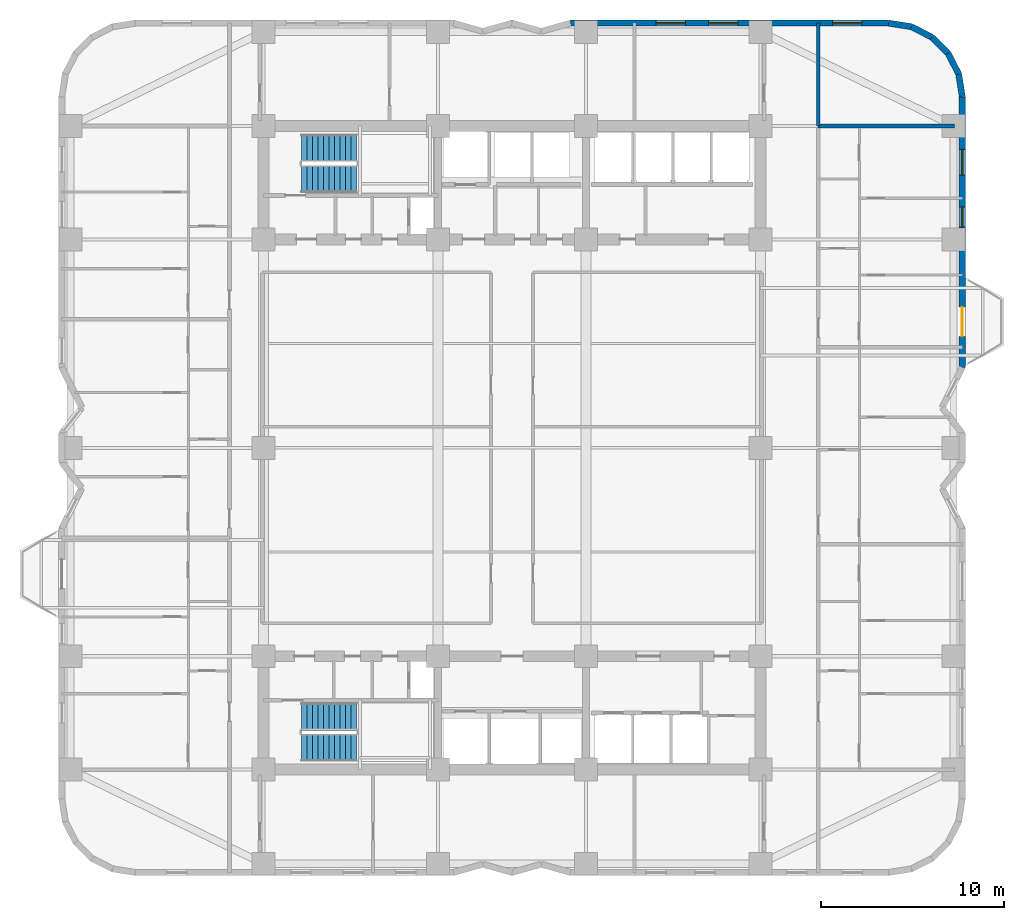
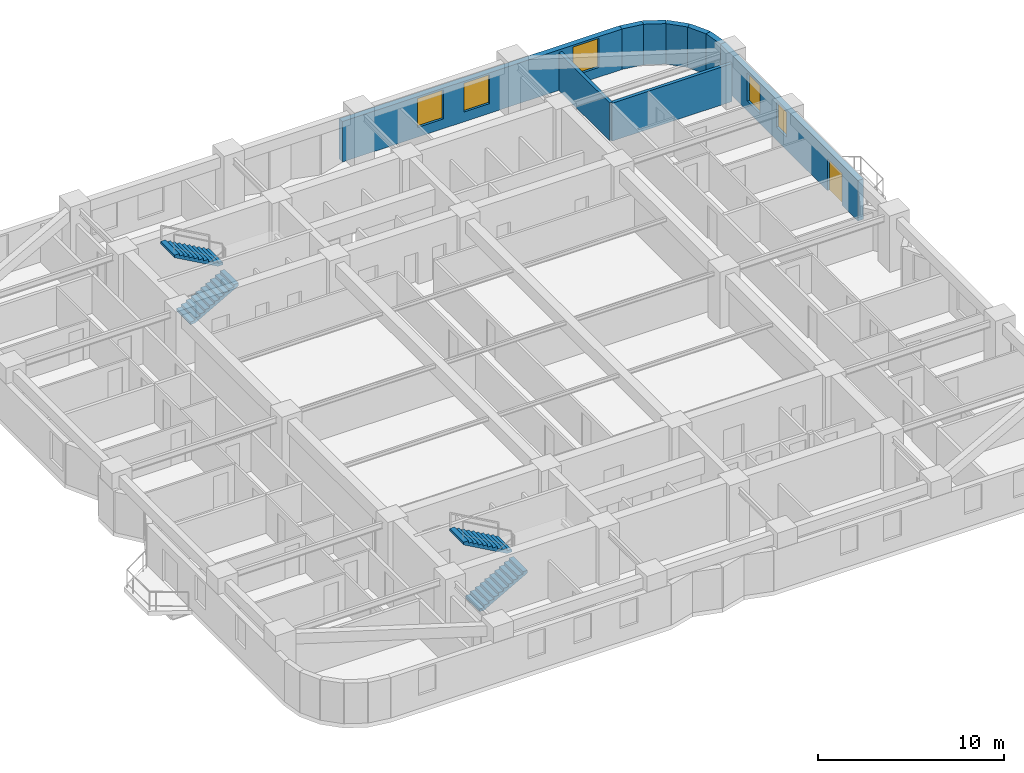
# One storey, part 8 of 10: 9 walls, 5 windows, 4 stair flights, 1 door, 6 openings, 2 elements without a shape of their own.
"""IFC4 building model written with IfcOpenShell, lengths in metres."""

import ifcopenshell
import ifcopenshell.guid

model = None  # the IFC model being written
_history = None  # IfcOwnerHistory: only IFC2X3 demands one
_inside = {}  # id of a spatial element -> (the spatial element, [elements in it])
_under = {}  # id of a project, library or spatial element -> (it, [spatial elements below it])
_declared = {}  # id of a project -> (the project, [libraries it declares])
_typed = {}  # id of a type object -> (the type object, [elements of that type])
_made_of = {}  # id of a material, layer set ... -> (it, [elements and type objects made of it])


def new_model(schema):
    """Start an empty IFC model of exactly this schema.

    Asked for "IFC4X3", IfcOpenShell would pick the latest addendum, in which some entities
    have other attributes; the version numbers below select the first issue.
    IFC2X3 requires an IfcOwnerHistory on every rooted entity: one is made here for all.
    """
    global model, _history
    if schema == "IFC4X3":
        model = ifcopenshell.file(schema_version=(4, 3, 0, 0))
    else:
        model = ifcopenshell.file(schema=schema)
    _inside.clear()
    _under.clear()
    _declared.clear()
    _typed.clear()
    _made_of.clear()
    _history = None
    if model.schema == "IFC2X3":
        org = make("IfcOrganization", Name="unknown")
        user = make(
            "IfcPersonAndOrganization",
            ThePerson=make("IfcPerson", FamilyName="unknown"),
            TheOrganization=org,
        )
        app = make(
            "IfcApplication",
            ApplicationDeveloper=org,
            Version="unknown",
            ApplicationFullName="unknown",
            ApplicationIdentifier="unknown",
        )
        _history = make(
            "IfcOwnerHistory",
            OwningUser=user,
            OwningApplication=app,
            ChangeAction="ADDED",
            CreationDate=0,
        )
    return model


def make(cls, **values):
    """One entity of the class cls with the attributes given. An attribute that is None is left unset."""
    return model.create_entity(
        cls, **{name: value for name, value in values.items() if value is not None}
    )


def rooted(cls, **values):
    """An entity with a GlobalId (a new one), such as an element, a storey or a relation."""
    return make(cls, GlobalId=ifcopenshell.guid.new(), OwnerHistory=_history, **values)


def si_unit(unit_type, name, prefix=None):
    """IfcSIUnit, for example si_unit("LENGTHUNIT", "METRE", prefix="MILLI")."""
    return make("IfcSIUnit", UnitType=unit_type, Prefix=prefix, Name=name)


def assignment(units):
    """IfcUnitAssignment: the units of a project."""
    return None if units is None else make("IfcUnitAssignment", Units=units)


def point(xyz):
    """IfcCartesianPoint."""
    return None if xyz is None else make("IfcCartesianPoint", Coordinates=xyz)


def direction(xyz):
    """IfcDirection."""
    return None if xyz is None else make("IfcDirection", DirectionRatios=xyz)


def frame(location, z_axis=None, x_axis=None):
    """IfcAxis2Placement3D, a coordinate frame: its origin and axes. An axis left out is left unset."""
    return make(
        "IfcAxis2Placement3D",
        Location=point(location),
        Axis=direction(z_axis),
        RefDirection=direction(x_axis),
    )


def frame_2d(location, x_axis=None):
    """IfcAxis2Placement2D, a coordinate frame in the plane: its origin and x axis."""
    return make(
        "IfcAxis2Placement2D", Location=point(location), RefDirection=direction(x_axis)
    )


def origin():
    """The frame at (0, 0, 0) with its axes left unset."""
    return frame((0.0, 0.0, 0.0))


def place(relative_to, where):
    """IfcLocalPlacement: puts the frame where relative to a parent placement (None: the world)."""
    return make(
        "IfcLocalPlacement", PlacementRelTo=relative_to, RelativePlacement=where
    )


def context(
    kind, dimensions, precision=None, world=None, true_north=None, identifier=None
):
    """IfcGeometricRepresentationContext, for example the 3D "Model" context."""
    return make(
        "IfcGeometricRepresentationContext",
        ContextIdentifier=identifier,
        ContextType=kind,
        CoordinateSpaceDimension=dimensions,
        Precision=precision,
        WorldCoordinateSystem=world,
        TrueNorth=true_north,
    )


def subcontext(parent, identifier, kind, view, scale=None):
    """IfcGeometricRepresentationSubContext, for example "Body" below "Model"."""
    return make(
        "IfcGeometricRepresentationSubContext",
        ContextIdentifier=identifier,
        ContextType=kind,
        ParentContext=parent,
        TargetScale=scale,
        TargetView=view,
    )


def project(units=None, contexts=None):
    """IfcProject with its units and contexts."""
    return rooted(
        "IfcProject",
        Name="project",
        RepresentationContexts=contexts,
        UnitsInContext=assignment(units),
    )


def spatial(cls, under=None, at=None, **own):
    """A site, building, storey or space (cls), placed at a placement, below another one or the project."""
    s = rooted(cls, ObjectPlacement=at, **own)
    if under is not None:
        _under.setdefault(under.id(), (under, []))[1].append(s)
    return s


def polyline(points):
    """IfcPolyline through the points."""
    return make("IfcPolyline", Points=[point(p) for p in points])


def profile(cls, at=None, kind="AREA", **sizes):
    """A parametric profile (cls). Its sizes go by their IFC names, for example OverallWidth=200.0."""
    return make(cls, ProfileType=kind, Position=at, **sizes)


def rectangle(**sizes):
    """IfcRectangleProfileDef."""
    return profile("IfcRectangleProfileDef", **sizes)


def outline(outer, holes=None, kind="AREA"):
    """IfcArbitraryClosedProfileDef: a profile drawn as a closed curve; with holes, ...WithVoids."""
    if holes is None:
        return make("IfcArbitraryClosedProfileDef", ProfileType=kind, OuterCurve=outer)
    return make(
        "IfcArbitraryProfileDefWithVoids",
        ProfileType=kind,
        OuterCurve=outer,
        InnerCurves=holes,
    )


def extrude(swept, where, along, depth):
    """IfcExtrudedAreaSolid: the profile swept, set in the frame where, extruded along a direction by depth."""
    return make(
        "IfcExtrudedAreaSolid",
        SweptArea=swept,
        Position=where,
        ExtrudedDirection=direction(along),
        Depth=depth,
    )


def shape(context_of_items, identifier, shape_type, items):
    """IfcShapeRepresentation: the items that make up one representation, for example the "Body"."""
    return make(
        "IfcShapeRepresentation",
        ContextOfItems=context_of_items,
        RepresentationIdentifier=identifier,
        RepresentationType=shape_type,
        Items=items,
    )


def material(Name=None, Category=None):
    """IfcMaterial."""
    return make("IfcMaterial", Name=Name, Category=Category)


def layer(
    of_material, thickness, ventilated=None, Name=None, Category=None, Priority=None
):
    """IfcMaterialLayer: one layer of a wall or slab, of a material (None: an air gap)."""
    return make(
        "IfcMaterialLayer",
        Material=of_material,
        LayerThickness=thickness,
        IsVentilated=ventilated,
        Name=Name,
        Category=Category,
        Priority=Priority,
    )


def layer_set(layers, Name=None):
    """IfcMaterialLayerSet."""
    return make("IfcMaterialLayerSet", MaterialLayers=layers, LayerSetName=Name)


def made_of(thing, what):
    """Note that an element or type object is made of a material, layer set ...; save() writes the relation."""
    if what is not None:
        _made_of.setdefault(what.id(), (what, []))[1].append(thing)
    return thing


def type_object(cls, material=None, **own):
    """A type object (cls), such as IfcWallType, which elements share."""
    return made_of(rooted(cls, **own), material)


def element(
    cls,
    number,
    at=None,
    inside=None,
    cuts=None,
    type_object=None,
    material=None,
    context=None,
    identifier="Body",
    shape_type=None,
    held_by="IfcProductDefinitionShape",
    body=None,
    shapes=None,
    **own,
):
    """One element of the class cls, such as IfcWall. Its Tag is "e" and its number.

    at: its placement. inside: the storey or other place that contains it. cuts: it is an
    opening in that element (IfcRelVoidsElement). A single representation is given by context,
    identifier, shape_type and body (its items); several are given by shapes. held_by: the class
    of the entity that holds the representations. save() writes the other relations.
    """
    e = rooted(cls, Tag="e%d" % number, ObjectPlacement=at, **own)
    if body is not None:
        shapes = [shape(context, identifier, shape_type, body)]
    if shapes is not None:
        e.Representation = make(held_by, Representations=shapes)
    if inside is not None:
        _inside.setdefault(inside.id(), (inside, []))[1].append(e)
    if cuts is not None:
        rooted(
            "IfcRelVoidsElement", RelatingBuildingElement=cuts, RelatedOpeningElement=e
        )
    if type_object is not None:
        _typed.setdefault(type_object.id(), (type_object, []))[1].append(e)
    return made_of(e, material)


def fill(opening, filler):
    """IfcRelFillsElement: the door or window that sits in an opening."""
    return rooted(
        "IfcRelFillsElement",
        RelatingOpeningElement=opening,
        RelatedBuildingElement=filler,
    )


def aggregate(whole, parts):
    """IfcRelAggregates: a whole, such as a stair, and the parts it consists of."""
    return rooted("IfcRelAggregates", RelatingObject=whole, RelatedObjects=parts)


def save(model, path):
    """Write the relations noted so far, then the file.

    IfcRelAggregates (storeys below a building ...), IfcRelContainedInSpatialStructure (elements
    in a storey), IfcRelDefinesByType, IfcRelAssociatesMaterial and IfcRelDeclares: one each for
    every whole, place, type object, material and project.
    """
    for whole, parts in _under.values():
        aggregate(whole, parts)
    for where, things in _inside.values():
        rooted(
            "IfcRelContainedInSpatialStructure",
            RelatedElements=things,
            RelatingStructure=where,
        )
    for kind, things in _typed.values():
        rooted("IfcRelDefinesByType", RelatedObjects=things, RelatingType=kind)
    for what, things in _made_of.values():
        rooted("IfcRelAssociatesMaterial", RelatedObjects=things, RelatingMaterial=what)
    for by, libraries in _declared.values():
        rooted("IfcRelDeclares", RelatingContext=by, RelatedDefinitions=libraries)
    model.write(path)


model = new_model("IFC4")

# Units and contexts
model_context = context("Model", 3, precision=1e-05, world=origin(), true_north=direction((0.0, 1.0)))
body_context = subcontext(model_context, "Body", "Model", "MODEL_VIEW")
ifc_project = project(units=[si_unit("LENGTHUNIT", "METRE"), si_unit("AREAUNIT", "SQUARE_METRE"), si_unit("VOLUMEUNIT", "CUBIC_METRE"), si_unit("PLANEANGLEUNIT", "RADIAN"), si_unit("MASSUNIT", "GRAM", prefix="KILO")], contexts=[model_context])

# Site, building, storey
site_placement = place(None, origin())
site = spatial("IfcSite", under=ifc_project, at=site_placement, CompositionType="ELEMENT")
building_placement = place(site_placement, origin())
building = spatial("IfcBuilding", under=site, at=building_placement, Name="Svetorya Sky Lyceum", CompositionType="ELEMENT")
storey_placement = place(building_placement, frame((0.0, 0.0, 73.199951171875)))
storey = spatial("IfcBuildingStorey", under=building, at=storey_placement, Name="L18", CompositionType="ELEMENT", Elevation=73.199951171875)

# Wall, openings, door, windows
ifc_material_1 = material(Name="Putilovo limestone rainscreen on autoclaved cellular masonry", Category="masonry")
ifc_layer_1 = layer(ifc_material_1, 0.340087890625)
ifc_layer_set_1 = layer_set([ifc_layer_1], Name="Putilovo limestone rainscreen on autoclaved cellular masonry")
wall_type_1 = type_object("IfcWallType", Name="WL-EXT-340", PredefinedType="SOLIDWALL", material=ifc_layer_set_1)
wall_1_placement = place(storey_placement, frame((63.830078125, 32.60009765625, 0.0), z_axis=(0.0, 0.0, 1.0), x_axis=(0.0, 1.0, 0.0)))
wall_1 = element("IfcWall", 1, at=wall_1_placement, inside=storey, type_object=wall_type_1, Name="L18 Limestone Exterior Wall 23M", PredefinedType="SOLIDWALL", context=body_context, shape_type="SweptSolid", body=[
    extrude(rectangle(XDim=14.7998046875, YDim=0.340087890625, at=frame_2d((7.39990234375, 0.0))), origin(), (0.0, 0.0, 1.0), 2.66015625),
])
opening_1_placement = place(wall_1_placement, frame((1.699951171875, 0.0, 0.0)))
opening_1 = element("IfcOpeningElement", 2, at=opening_1_placement, cuts=wall_1, Name="Opening D-BL1", PredefinedType="OPENING", context=body_context, shape_type="SweptSolid", body=[
    extrude(rectangle(XDim=1.60009765625, YDim=2.10009765625, at=frame_2d((0.800048828125, 1.050048828125))), frame((0.0, 0.179931640625, 0.0), z_axis=(0.0, -1.0, 0.0), x_axis=(1.0, 0.0, 0.0)), (0.0, 0.0, 1.0), 0.360107421875),
])
opening_2_placement = place(wall_1_placement, frame((7.679931640625, 0.0, 0.85009765625)))
opening_2 = element("IfcOpeningElement", 3, at=opening_2_placement, cuts=wall_1, Name="Opening W-R3", PredefinedType="OPENING", context=body_context, shape_type="SweptSolid", body=[
    extrude(rectangle(XDim=1.10009765625, YDim=1.64990234375, at=frame_2d((0.550048828125, 0.824951171875))), frame((0.0, 0.179931640625, 0.0), z_axis=(0.0, -1.0, 0.0), x_axis=(1.0, 0.0, 0.0)), (0.0, 0.0, 1.0), 0.360107421875),
])
opening_3_placement = place(wall_1_placement, frame((10.52001953125, 0.0, 0.64990234375)))
opening_3 = element("IfcOpeningElement", 4, at=opening_3_placement, cuts=wall_1, Name="Opening W-R2", PredefinedType="OPENING", context=body_context, shape_type="SweptSolid", body=[
    extrude(rectangle(XDim=1.39990234375, YDim=1.85009765625, at=frame_2d((0.699951171875, 0.925048828125))), frame((0.0, 0.179931640625, 0.0), z_axis=(0.0, -1.0, 0.0), x_axis=(1.0, 0.0, 0.0)), (0.0, 0.0, 1.0), 0.360107421875),
])
ifc_material_2 = material(Name="Insulated glazed aluminium balcony door", Category="aluminium")
door_type = type_object("IfcDoorType", Name="DR-BAL-1600", OperationType="DOUBLE_DOOR_SINGLE_SWING", PredefinedType="DOOR", material=ifc_material_2)
door_placement = place(opening_1_placement, origin())
door = element("IfcDoor", 5, at=door_placement, inside=storey, type_object=door_type, Name="L18 Balcony BAL-E1 Door", OperationType="DOUBLE_DOOR_SINGLE_SWING", OverallHeight=2.10009765625, OverallWidth=1.60009765625, PredefinedType="DOOR", context=body_context, shape_type="SweptSolid", body=[
    extrude(rectangle(XDim=1.60009765625, YDim=2.10009765625, at=frame_2d((0.800048828125, 1.050048828125))), frame((0.0, 0.02490234375, 0.0), z_axis=(0.0, -1.0, 0.0), x_axis=(1.0, 0.0, 0.0)), (0.0, 0.0, 1.0), 0.050048828125),
])
fill(opening_1, door)
ifc_material_3 = material(Name="Thermally broken aluminium frame with triple low-E glazing", Category="aluminium")
window_type_1 = type_object("IfcWindowType", Name="WN-RES-110", PartitioningType="SINGLE_PANEL", PredefinedType="WINDOW", material=ifc_material_3)
window_1_placement = place(opening_2_placement, origin())
window_1 = element("IfcWindow", 6, at=window_1_placement, inside=storey, type_object=window_type_1, Name="L18 Facade Window W-R3.23M.1", OverallHeight=1.64990234375, OverallWidth=1.10009765625, PartitioningType="SINGLE_PANEL", PredefinedType="WINDOW", context=body_context, shape_type="SweptSolid", body=[
    extrude(rectangle(XDim=1.10009765625, YDim=1.64990234375, at=frame_2d((0.550048828125, 0.824951171875))), frame((0.0, 0.030029296875, 0.0), z_axis=(0.0, -1.0, 0.0), x_axis=(1.0, 0.0, 0.0)), (0.0, 0.0, 1.0), 0.06005859375),
])
fill(opening_2, window_1)
window_type_2 = type_object("IfcWindowType", Name="WN-RES-140", PartitioningType="SINGLE_PANEL", PredefinedType="WINDOW", material=ifc_material_3)
window_2_placement = place(opening_3_placement, origin())
window_2 = element("IfcWindow", 7, at=window_2_placement, inside=storey, type_object=window_type_2, Name="L18 Facade Window W-R2.23M.2", OverallHeight=1.85009765625, OverallWidth=1.39990234375, PartitioningType="SINGLE_PANEL", PredefinedType="WINDOW", context=body_context, shape_type="SweptSolid", body=[
    extrude(rectangle(XDim=1.39990234375, YDim=1.85009765625, at=frame_2d((0.699951171875, 0.925048828125))), frame((0.0, 0.030029296875, 0.0), z_axis=(0.0, -1.0, 0.0), x_axis=(1.0, 0.0, 0.0)), (0.0, 0.0, 1.0), 0.06005859375),
])
fill(opening_3, window_2)

# Walls
for number, where, z_axis, x_axis, name in (
    (8, (63.830078125, 47.39990234375, 0.0), (0.0, 0.0, 1.0), (-0.15644975923, 0.987685918112, 0.0), "L18 Limestone Exterior Wall 24M"),
    (9, (63.6328125, 48.645263671875, 0.0), (0.0, 0.0, 1.0), (-0.454015689056, 0.890993689142, 0.0), "L18 Limestone Exterior Wall 25M"),
    (10, (63.060302734375, 49.768798828125, 0.0), (0.0, 0.0, 1.0), (-0.707106781187, 0.707106781187, 0.0), "L18 Limestone Exterior Wall 26M"),
):
    element("IfcWall", number, at=place(storey_placement, frame(where, z_axis=z_axis, x_axis=x_axis)), inside=storey, type_object=wall_type_1, Name=name, PredefinedType="SOLIDWALL", context=body_context, shape_type="SweptSolid", body=[
        extrude(rectangle(XDim=1.260986328125, YDim=0.340087890625, at=frame_2d((0.63037109375, 0.0))), origin(), (0.0, 0.0, 1.0), 2.66015625),
    ])
for number, where, z_axis, x_axis, name in (
    (11, (62.168701171875, 50.660400390625, 0.0), (0.0, 0.0, 1.0), (-0.890953769915, 0.454094020963, 0.0), "L18 Limestone Exterior Wall 27M"),
    (12, (61.04541015625, 51.23291015625, 0.0), (0.0, 0.0, 1.0), (-0.98771582066, 0.156260864002, 0.0), "L18 Limestone Exterior Wall 28M"),
):
    element("IfcWall", number, at=place(storey_placement, frame(where, z_axis=z_axis, x_axis=x_axis)), inside=storey, type_object=wall_type_1, Name=name, PredefinedType="SOLIDWALL", context=body_context, shape_type="SweptSolid", body=[
        extrude(rectangle(XDim=1.2607421875, YDim=0.340087890625, at=frame_2d((0.63037109375, 0.0))), origin(), (0.0, 0.0, 1.0), 2.66015625),
    ])

# Wall, openings, windows
wall_2_placement = place(storey_placement, frame((59.800048828125, 51.429931640625, 0.0), z_axis=(0.0, 0.0, 1.0), x_axis=(-1.0, 0.0, 0.0)))
wall_2 = element("IfcWall", 13, at=wall_2_placement, inside=storey, type_object=wall_type_1, Name="L18 Limestone Exterior Wall 29M", PredefinedType="SOLIDWALL", context=body_context, shape_type="SweptSolid", body=[
    extrude(rectangle(XDim=17.400146484375, YDim=0.340087890625, at=frame_2d((8.7001953125, 0.0))), origin(), (0.0, 0.0, 1.0), 2.66015625),
])
opening_4_placement = place(wall_2_placement, frame((1.4599609375, 0.0, 0.639892578125)))
opening_4 = element("IfcOpeningElement", 14, at=opening_4_placement, cuts=wall_2, Name="Opening W-R4", PredefinedType="OPENING", context=body_context, shape_type="SweptSolid", body=[
    extrude(rectangle(XDim=1.60009765625, YDim=1.89990234375, at=frame_2d((0.800048828125, 0.949951171875))), frame((0.0, 0.179931640625, 0.0), z_axis=(0.0, -1.0, 0.0), x_axis=(1.0, 0.0, 0.0)), (0.0, 0.0, 1.0), 0.360107421875),
])
opening_5_placement = place(wall_2_placement, frame((8.25, 0.0, 0.639892578125)))
opening_5 = element("IfcOpeningElement", 15, at=opening_5_placement, cuts=wall_2, Name="Opening W-R4", PredefinedType="OPENING", context=body_context, shape_type="SweptSolid", body=[
    extrude(rectangle(XDim=1.60009765625, YDim=1.89990234375, at=frame_2d((0.800048828125, 0.949951171875))), frame((0.0, 0.179931640625, 0.0), z_axis=(0.0, -1.0, 0.0), x_axis=(1.0, 0.0, 0.0)), (0.0, 0.0, 1.0), 0.360107421875),
])
opening_6_placement = place(wall_2_placement, frame((11.1201171875, 0.0, 0.639892578125)))
opening_6 = element("IfcOpeningElement", 16, at=opening_6_placement, cuts=wall_2, Name="Opening W-R4", PredefinedType="OPENING", context=body_context, shape_type="SweptSolid", body=[
    extrude(rectangle(XDim=1.60009765625, YDim=1.89990234375, at=frame_2d((0.800048828125, 0.949951171875))), frame((0.0, 0.179931640625, 0.0), z_axis=(0.0, -1.0, 0.0), x_axis=(1.0, 0.0, 0.0)), (0.0, 0.0, 1.0), 0.360107421875),
])
window_type_3 = type_object("IfcWindowType", Name="WN-RES-160", PartitioningType="DOUBLE_PANEL_VERTICAL", PredefinedType="WINDOW", material=ifc_material_3)
window_3_placement = place(opening_4_placement, origin())
window_3 = element("IfcWindow", 17, at=window_3_placement, inside=storey, type_object=window_type_3, Name="L18 Facade Window W-R4.29M.1", OverallHeight=1.89990234375, OverallWidth=1.60009765625, PartitioningType="SINGLE_PANEL", PredefinedType="WINDOW", context=body_context, shape_type="SweptSolid", body=[
    extrude(rectangle(XDim=1.60009765625, YDim=1.89990234375, at=frame_2d((0.800048828125, 0.949951171875))), frame((0.0, 0.030029296875, 0.0), z_axis=(0.0, -1.0, 0.0), x_axis=(1.0, 0.0, 0.0)), (0.0, 0.0, 1.0), 0.06005859375),
])
fill(opening_4, window_3)
window_4_placement = place(opening_5_placement, origin())
window_4 = element("IfcWindow", 18, at=window_4_placement, inside=storey, type_object=window_type_3, Name="L18 Facade Window W-R4.29M.2", OverallHeight=1.89990234375, OverallWidth=1.60009765625, PartitioningType="SINGLE_PANEL", PredefinedType="WINDOW", context=body_context, shape_type="SweptSolid", body=[
    extrude(rectangle(XDim=1.60009765625, YDim=1.89990234375, at=frame_2d((0.800048828125, 0.949951171875))), frame((0.0, 0.030029296875, 0.0), z_axis=(0.0, -1.0, 0.0), x_axis=(1.0, 0.0, 0.0)), (0.0, 0.0, 1.0), 0.06005859375),
])
fill(opening_5, window_4)
window_5_placement = place(opening_6_placement, origin())
window_5 = element("IfcWindow", 19, at=window_5_placement, inside=storey, type_object=window_type_3, Name="L18 Facade Window W-R4.29M.3", OverallHeight=1.89990234375, OverallWidth=1.60009765625, PartitioningType="SINGLE_PANEL", PredefinedType="WINDOW", context=body_context, shape_type="SweptSolid", body=[
    extrude(rectangle(XDim=1.60009765625, YDim=1.89990234375, at=frame_2d((0.800048828125, 0.949951171875))), frame((0.0, 0.030029296875, 0.0), z_axis=(0.0, -1.0, 0.0), x_axis=(1.0, 0.0, 0.0)), (0.0, 0.0, 1.0), 0.06005859375),
])
fill(opening_6, window_5)

# Walls
ifc_material_4 = material(Name="Autoclaved cellular masonry blockwork with gypsum plaster", Category="masonry")
ifc_layer_2 = layer(ifc_material_4, 0.199951171875)
ifc_layer_set_2 = layer_set([ifc_layer_2], Name="Autoclaved cellular masonry blockwork with gypsum plaster")
wall_type_2 = type_object("IfcWallType", Name="WL-PART-200", PredefinedType="PARTITIONING", material=ifc_layer_set_2)
wall_3_placement = place(storey_placement, frame((55.949951171875, 45.800048828125, 0.0), z_axis=(0.0, 0.0, 1.0), x_axis=(1.0, 0.0, 0.0)))
element("IfcWall", 20, at=wall_3_placement, inside=storey, type_object=wall_type_2, Name="L18 Interior Partition E-CAP-N", PredefinedType="PARTITIONING", context=body_context, shape_type="SweptSolid", body=[
    extrude(rectangle(XDim=7.4599609375, YDim=0.199951171875, at=frame_2d((3.72998046875, 0.0))), origin(), (0.0, 0.0, 1.0), 2.489990234375),
])
wall_4_placement = place(storey_placement, frame((55.949951171875, 45.800048828125, 0.0), z_axis=(0.0, 0.0, 1.0), x_axis=(0.0, 1.0, 0.0)))
element("IfcWall", 21, at=wall_4_placement, inside=storey, type_object=wall_type_2, Name="L18 Interior Partition EC-NE-END", PredefinedType="PARTITIONING", context=body_context, shape_type="SweptSolid", body=[
    extrude(rectangle(XDim=5.6298828125, YDim=0.199951171875, at=frame_2d((2.81494140625, 0.0))), origin(), (0.0, 0.0, 1.0), 2.489990234375),
])

# Stair, stair flights
ifc_material_5 = material(Name="Concrete C40/50", Category="concrete")
stair_type_1 = type_object("IfcStairType", Name="STR-ST-N", PredefinedType="HALF_TURN_STAIR", material=ifc_material_5)
stair_1_placement = place(storey_placement, origin())
stair_1 = element("IfcStair", 22, at=stair_1_placement, inside=storey, type_object=stair_type_1, Name="L18 North Core Smoke-Free Exit Stair N3", PredefinedType="HALF_TURN_STAIR")
stair_flight_type_1 = type_object("IfcStairFlightType", Name="SFL-ST-N", PredefinedType="STRAIGHT", material=ifc_material_5)
stair_flight_1_placement = place(storey_placement, frame((27.699951171875, 42.89990234375, 0.0), z_axis=(0.0, 0.0, 1.0), x_axis=(1.0, 0.0, 0.0)))
stair_flight_1 = element("IfcStairFlight", 23, at=stair_flight_1_placement, type_object=stair_flight_type_1, Name="ST-N flight 1", NumberOfRisers=11, NumberOfTreads=10, PredefinedType="STRAIGHT", RiserHeight=0.168181818, TreadLength=0.3, context=body_context, shape_type="SweptSolid", body=[
    extrude(outline(polyline([(0.0, 0.0), (0.0, 0.168212890625), (0.300048828125, 0.168212890625), (0.300048828125, 0.33642578125), (0.60009765625, 0.33642578125), (0.60009765625, 0.504638671875), (0.89990234375, 0.504638671875), (0.89990234375, 0.672607421875), (1.199951171875, 0.672607421875), (1.199951171875, 0.8408203125), (1.5, 0.8408203125), (1.5, 1.009033203125), (1.800048828125, 1.009033203125), (1.800048828125, 1.17724609375), (2.10009765625, 1.17724609375), (2.10009765625, 1.345458984375), (2.39990234375, 1.345458984375), (2.39990234375, 1.513671875), (2.699951171875, 1.513671875), (2.699951171875, 1.681884765625), (3.0, 1.681884765625), (3.0, 1.85009765625), (3.0, 1.510009765625), (0.306640625, 0.0), (0.0, 0.0)])), frame((0.0, 0.75, 0.0), z_axis=(0.0, -1.0, 0.0), x_axis=(1.0, 0.0, 0.0)), (0.0, 0.0, 1.0), 1.5),
])
stair_flight_2_placement = place(storey_placement, frame((30.699951171875, 44.60009765625, 1.85009765625), z_axis=(0.0, 0.0, 1.0), x_axis=(-1.0, 0.0, 0.0)))
stair_flight_2 = element("IfcStairFlight", 24, at=stair_flight_2_placement, type_object=stair_flight_type_1, Name="ST-N flight 2", NumberOfRisers=11, NumberOfTreads=10, PredefinedType="STRAIGHT", RiserHeight=0.168181818, TreadLength=0.3, context=body_context, shape_type="SweptSolid", body=[
    extrude(outline(polyline([(0.0, 0.0), (0.0, 0.168212890625), (0.300048828125, 0.168212890625), (0.300048828125, 0.33642578125), (0.60009765625, 0.33642578125), (0.60009765625, 0.504638671875), (0.89990234375, 0.504638671875), (0.89990234375, 0.672607421875), (1.199951171875, 0.672607421875), (1.199951171875, 0.8408203125), (1.5, 0.8408203125), (1.5, 1.009033203125), (1.800048828125, 1.009033203125), (1.800048828125, 1.17724609375), (2.10009765625, 1.17724609375), (2.10009765625, 1.345458984375), (2.39990234375, 1.345458984375), (2.39990234375, 1.513671875), (2.699951171875, 1.513671875), (2.699951171875, 1.681884765625), (3.0, 1.681884765625), (3.0, 1.85009765625), (3.0, 1.510009765625), (0.306640625, 0.0), (0.0, 0.0)])), frame((0.0, 0.75, 0.0), z_axis=(0.0, -1.0, 0.0), x_axis=(1.0, 0.0, 0.0)), (0.0, 0.0, 1.0), 1.5),
])
aggregate(stair_1, [stair_flight_1, stair_flight_2])

stair_type_2 = type_object("IfcStairType", Name="STR-ST-S", PredefinedType="HALF_TURN_STAIR", material=ifc_material_5)
stair_2_placement = place(storey_placement, origin())
stair_2 = element("IfcStair", 25, at=stair_2_placement, inside=storey, type_object=stair_type_2, Name="L18 South Core Smoke-Free Exit Stair N2", PredefinedType="HALF_TURN_STAIR")
stair_flight_type_2 = type_object("IfcStairFlightType", Name="SFL-ST-S", PredefinedType="STRAIGHT", material=ifc_material_5)
stair_flight_3_placement = place(storey_placement, frame((27.699951171875, 11.800048828125, 0.0), z_axis=(0.0, 0.0, 1.0), x_axis=(1.0, 0.0, 0.0)))
stair_flight_3 = element("IfcStairFlight", 26, at=stair_flight_3_placement, type_object=stair_flight_type_2, Name="ST-S flight 1", NumberOfRisers=11, NumberOfTreads=10, PredefinedType="STRAIGHT", RiserHeight=0.168181818, TreadLength=0.3, context=body_context, shape_type="SweptSolid", body=[
    extrude(outline(polyline([(0.0, 0.0), (0.0, 0.168212890625), (0.300048828125, 0.168212890625), (0.300048828125, 0.33642578125), (0.60009765625, 0.33642578125), (0.60009765625, 0.504638671875), (0.89990234375, 0.504638671875), (0.89990234375, 0.672607421875), (1.199951171875, 0.672607421875), (1.199951171875, 0.8408203125), (1.5, 0.8408203125), (1.5, 1.009033203125), (1.800048828125, 1.009033203125), (1.800048828125, 1.17724609375), (2.10009765625, 1.17724609375), (2.10009765625, 1.345458984375), (2.39990234375, 1.345458984375), (2.39990234375, 1.513671875), (2.699951171875, 1.513671875), (2.699951171875, 1.681884765625), (3.0, 1.681884765625), (3.0, 1.85009765625), (3.0, 1.510009765625), (0.306640625, 0.0), (0.0, 0.0)])), frame((0.0, 0.75, 0.0), z_axis=(0.0, -1.0, 0.0), x_axis=(1.0, 0.0, 0.0)), (0.0, 0.0, 1.0), 1.5),
])
stair_flight_4_placement = place(storey_placement, frame((30.699951171875, 13.5, 1.85009765625), z_axis=(0.0, 0.0, 1.0), x_axis=(-1.0, 0.0, 0.0)))
stair_flight_4 = element("IfcStairFlight", 27, at=stair_flight_4_placement, type_object=stair_flight_type_2, Name="ST-S flight 2", NumberOfRisers=11, NumberOfTreads=10, PredefinedType="STRAIGHT", RiserHeight=0.168181818, TreadLength=0.3, context=body_context, shape_type="SweptSolid", body=[
    extrude(outline(polyline([(0.0, 0.0), (0.0, 0.168212890625), (0.300048828125, 0.168212890625), (0.300048828125, 0.33642578125), (0.60009765625, 0.33642578125), (0.60009765625, 0.504638671875), (0.89990234375, 0.504638671875), (0.89990234375, 0.672607421875), (1.199951171875, 0.672607421875), (1.199951171875, 0.8408203125), (1.5, 0.8408203125), (1.5, 1.009033203125), (1.800048828125, 1.009033203125), (1.800048828125, 1.17724609375), (2.10009765625, 1.17724609375), (2.10009765625, 1.345458984375), (2.39990234375, 1.345458984375), (2.39990234375, 1.513671875), (2.699951171875, 1.513671875), (2.699951171875, 1.681884765625), (3.0, 1.681884765625), (3.0, 1.85009765625), (3.0, 1.510009765625), (0.306640625, 0.0), (0.0, 0.0)])), frame((0.0, 0.75, 0.0), z_axis=(0.0, -1.0, 0.0), x_axis=(1.0, 0.0, 0.0)), (0.0, 0.0, 1.0), 1.5),
])
aggregate(stair_2, [stair_flight_3, stair_flight_4])

save(model, "model.ifc")
